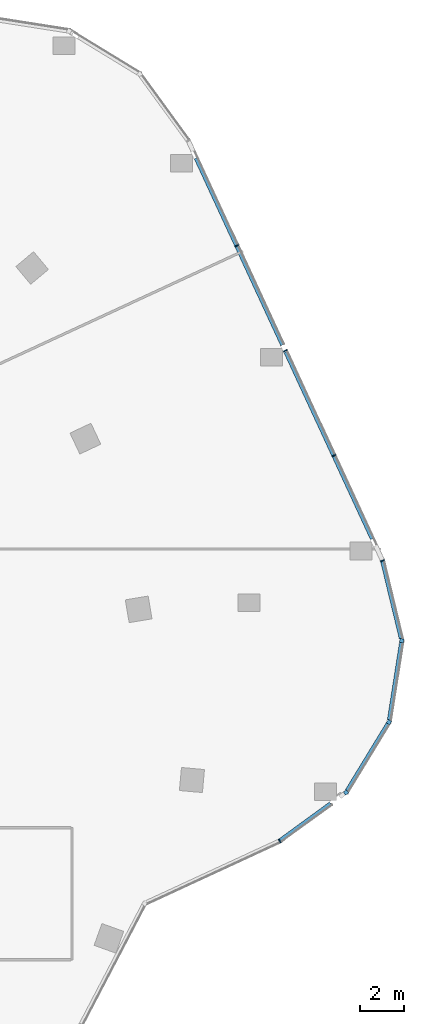
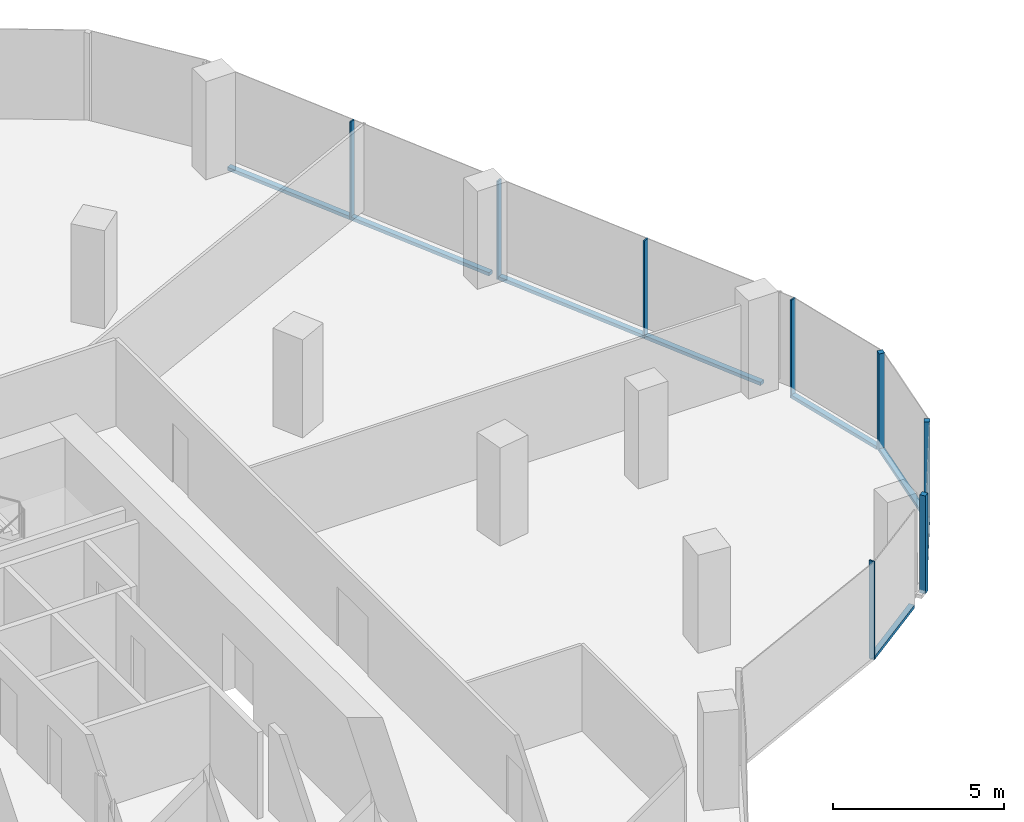
# One storey, part 9 of 23: 14 members, 6 elements without a shape of their own.
"""IFC4 building model written with IfcOpenShell, lengths in metres."""

from ifc_helpers import new_model, si_unit, direction, frame, origin, origin_2d, place, context, subcontext, project, spatial, rectangle, extrude, material, material_profile, profile_set, type_object, element, aggregate, save


model = new_model("IFC4")

# Units and contexts
model_context = context("Model", 3, precision=1e-05, world=origin(), true_north=direction((0.0, 1.0)))
body_context = subcontext(model_context, "Body", "Model", "MODEL_VIEW")
ifc_project = project(units=[si_unit("LENGTHUNIT", "METRE"), si_unit("AREAUNIT", "SQUARE_METRE"), si_unit("VOLUMEUNIT", "CUBIC_METRE"), si_unit("PLANEANGLEUNIT", "RADIAN"), si_unit("MASSUNIT", "GRAM", prefix="KILO")], contexts=[model_context])

# Site, building, storey
site_placement = place(None, origin())
site = spatial("IfcSite", under=ifc_project, at=site_placement, CompositionType="ELEMENT")
building_placement = place(site_placement, origin())
building = spatial("IfcBuilding", under=site, at=building_placement, Name="Orlundy Tower", CompositionType="ELEMENT")
storey_placement = place(building_placement, frame((0.0, 0.0, 260.5)))
storey = spatial("IfcBuildingStorey", under=building, at=storey_placement, Name="L69", CompositionType="ELEMENT", Elevation=260.5)

# Curtain wall, member
ifc_material_1 = material(Name="Aluminium bronze anodised", Category="aluminium")
curtain_wall_type = type_object("IfcCurtainWallType", Name="CW1 wall", PredefinedType="NOTDEFINED", material=ifc_material_1)
curtain_wall_1_placement = place(storey_placement, origin())
curtain_wall_1 = element("IfcCurtainWall", 1, at=curtain_wall_1_placement, inside=storey, type_object=curtain_wall_type, Name="CW1 run 17", PredefinedType="NOTDEFINED")
ifc_material_2 = material(Name="Aluminium bronze anodised", Category="aluminium")
ifc_material_profile_1 = material_profile(ifc_material_2, rectangle(XDim=0.179931640625, YDim=0.179931640625, at=origin_2d()), Name="CW1 corner post 180x180")
ifc_profile_set_1 = profile_set([ifc_material_profile_1], Name="Aluminium bronze anodised")
member_type_1 = type_object("IfcMemberType", Name="CW1 corner post 180x180", PredefinedType="MULLION", material=ifc_profile_set_1)
member_1_placement = place(storey_placement, frame((41.2197265625, 3.460693359375, -0.39990234375), z_axis=(0.0, 0.0, 1.0), x_axis=(0.987896030416, -0.15511748157, 0.0)))
member_1 = element("IfcMember", 2, at=member_1_placement, type_object=member_type_1, Name="CW1 mullion 12", PredefinedType="MULLION", context=body_context, shape_type="SweptSolid", body=[
    extrude(rectangle(XDim=0.179931640625, YDim=0.179931640625, at=origin_2d()), origin(), (0.0, 0.0, 1.0), 3.5),
])

curtain_wall_2_placement = place(storey_placement, origin())
curtain_wall_2 = element("IfcCurtainWall", 3, at=curtain_wall_2_placement, inside=storey, type_object=curtain_wall_type, Name="CW1 run 18", PredefinedType="NOTDEFINED")
member_2_placement = place(storey_placement, frame((40.63916015625, -0.236572265625, -0.39990234375), z_axis=(0.0, 0.0, 1.0), x_axis=(0.85339519248, -0.521264467859, 0.0)))
member_2 = element("IfcMember", 4, at=member_2_placement, type_object=member_type_1, Name="CW1 mullion 13", PredefinedType="MULLION", context=body_context, shape_type="SweptSolid", body=[
    extrude(rectangle(XDim=0.179931640625, YDim=0.179931640625, at=origin_2d()), origin(), (0.0, 0.0, 1.0), 3.5),
])

curtain_wall_3_placement = place(storey_placement, origin())
curtain_wall_3 = element("IfcCurtainWall", 5, at=curtain_wall_3_placement, inside=storey, type_object=curtain_wall_type, Name="CW1 run 19", PredefinedType="NOTDEFINED")
member_3_placement = place(storey_placement, frame((38.6884765625, -3.43017578125, -0.39990234375), z_axis=(0.0, 0.0, 1.0), x_axis=(0.58902167687, -0.808117234179, 0.0)))
member_3 = element("IfcMember", 6, at=member_3_placement, type_object=member_type_1, Name="CW1 mullion 14", PredefinedType="MULLION", context=body_context, shape_type="SweptSolid", body=[
    extrude(rectangle(XDim=0.179931640625, YDim=0.179931640625, at=origin_2d()), origin(), (0.0, 0.0, 1.0), 3.5),
])

# Curtain wall, members
curtain_wall_4_placement = place(storey_placement, origin())
curtain_wall_4 = element("IfcCurtainWall", 7, at=curtain_wall_4_placement, inside=storey, type_object=curtain_wall_type, Name="CW1 run 15", PredefinedType="NOTDEFINED")
ifc_material_3 = material(Name="Aluminium bronze anodised", Category="aluminium")
ifc_material_profile_2 = material_profile(ifc_material_3, rectangle(XDim=0.179931640625, YDim=0.050048828125, at=origin_2d()), Name="CW1 mullion 50x180")
ifc_profile_set_2 = profile_set([ifc_material_profile_2], Name="Aluminium bronze anodised")
member_type_2 = type_object("IfcMemberType", Name="CW1 mullion 50x180", PredefinedType="MULLION", material=ifc_profile_set_2)
member_4_placement = place(storey_placement, frame((33.724365234375, 21.391357421875, -0.39990234375), z_axis=(0.0, 0.0, 1.0), x_axis=(0.907542202358, 0.419960892154, 0.0)))
member_4 = element("IfcMember", 8, at=member_4_placement, type_object=member_type_2, Name="CW1 mullion 8", PredefinedType="MULLION", context=body_context, shape_type="SweptSolid", body=[
    extrude(rectangle(XDim=0.179931640625, YDim=0.050048828125, at=origin_2d()), origin(), (0.0, 0.0, 1.0), 3.5),
])
member_5_placement = place(storey_placement, frame((35.92919921875, 16.626708984375, -0.39990234375), z_axis=(0.0, 0.0, 1.0), x_axis=(0.907542202358, 0.419960892154, 0.0)))
member_5 = element("IfcMember", 9, at=member_5_placement, type_object=member_type_2, Name="CW1 mullion 9", PredefinedType="MULLION", context=body_context, shape_type="SweptSolid", body=[
    extrude(rectangle(XDim=0.179931640625, YDim=0.050048828125, at=origin_2d()), origin(), (0.0, 0.0, 1.0), 3.5),
])
member_6_placement = place(storey_placement, frame((38.134033203125, 11.8623046875, -0.39990234375), z_axis=(0.0, 0.0, 1.0), x_axis=(0.907542202358, 0.419960892154, 0.0)))
member_6 = element("IfcMember", 10, at=member_6_placement, type_object=member_type_2, Name="CW1 mullion 10", PredefinedType="MULLION", context=body_context, shape_type="SweptSolid", body=[
    extrude(rectangle(XDim=0.179931640625, YDim=0.050048828125, at=origin_2d()), origin(), (0.0, 0.0, 1.0), 3.5),
])

# Curtain wall, member
curtain_wall_5_placement = place(storey_placement, origin())
curtain_wall_5 = element("IfcCurtainWall", 11, at=curtain_wall_5_placement, inside=storey, type_object=curtain_wall_type, Name="CW1 run 16", PredefinedType="NOTDEFINED")
member_7_placement = place(storey_placement, frame((40.34228515625, 7.08984375, -0.39990234375), z_axis=(0.0, 0.0, 1.0), x_axis=(0.944312521745, 0.329049937357, 0.0)))
member_7 = element("IfcMember", 12, at=member_7_placement, type_object=member_type_2, Name="CW1 mullion 11", PredefinedType="MULLION", context=body_context, shape_type="SweptSolid", body=[
    extrude(rectangle(XDim=0.179931640625, YDim=0.050048828125, at=origin_2d()), origin(), (0.0, 0.0, 1.0), 3.5),
])

curtain_wall_6_placement = place(storey_placement, origin())
curtain_wall_6 = element("IfcCurtainWall", 13, at=curtain_wall_6_placement, inside=storey, type_object=curtain_wall_type, Name="CW1 run 110", PredefinedType="NOTDEFINED")
member_8_placement = place(storey_placement, frame((35.671875, -5.62890625, -0.39990234375), z_axis=(0.0, 0.0, 1.0), x_axis=(0.506927615096, -0.861988626986, 0.0)))
member_8 = element("IfcMember", 14, at=member_8_placement, type_object=member_type_2, Name="CW1 mullion 15", PredefinedType="MULLION", context=body_context, shape_type="SweptSolid", body=[
    extrude(rectangle(XDim=0.179931640625, YDim=0.050048828125, at=origin_2d()), origin(), (0.0, 0.0, 1.0), 3.5),
])
aggregate(curtain_wall_6, [member_8])

# Member
ifc_material_4 = material(Name="Aluminium bronze anodised", Category="aluminium")
ifc_material_profile_3 = material_profile(ifc_material_4, rectangle(XDim=0.179931640625, YDim=0.1201171875, at=origin_2d()), Name="CW1 transom 180x120")
ifc_profile_set_3 = profile_set([ifc_material_profile_3], Name="Aluminium bronze anodised")
member_type_3 = type_object("IfcMemberType", Name="CW1 transom 180x120", PredefinedType="USERDEFINED", material=ifc_profile_set_3)
member_9_placement = place(storey_placement, frame((31.87890625, 25.37939453125, -0.340087890625), z_axis=(0.419969586538, -0.907538179022, 0.0), x_axis=(0.907538179022, 0.419969586538, 0.0)))
member_9 = element("IfcMember", 15, at=member_9_placement, type_object=member_type_3, Name="CW1 transom", ObjectType="TRANSOM", PredefinedType="USERDEFINED", context=body_context, shape_type="SweptSolid", body=[
    extrude(rectangle(XDim=0.179931640625, YDim=0.1201171875, at=origin_2d()), origin(), (0.0, 0.0, 1.0), 9.357666015625),
])

member_10_placement = place(storey_placement, frame((35.952880859375, 16.575439453125, -0.340087890625), z_axis=(0.419966384997, -0.907539660551, 0.0), x_axis=(0.907539660551, 0.419966384997, 0.0)))
member_10 = element("IfcMember", 16, at=member_10_placement, type_object=member_type_3, Name="CW1 transom", ObjectType="TRANSOM", PredefinedType="USERDEFINED", context=body_context, shape_type="SweptSolid", body=[
    extrude(rectangle(XDim=0.179931640625, YDim=0.1201171875, at=origin_2d()), origin(), (0.0, 0.0, 1.0), 9.3564453125),
])

aggregate(curtain_wall_4, [member_4, member_5, member_6, member_9, member_10])

member_11_placement = place(storey_placement, frame((40.348388671875, 7.0654296875, -0.340087890625), z_axis=(0.23494012712, -0.972009843916, 0.0), x_axis=(0.972009843916, 0.23494012712, 0.0)))
member_11 = element("IfcMember", 17, at=member_11_placement, type_object=member_type_3, Name="CW1 transom", ObjectType="TRANSOM", PredefinedType="USERDEFINED", context=body_context, shape_type="SweptSolid", body=[
    extrude(rectangle(XDim=0.179931640625, YDim=0.1201171875, at=origin_2d()), origin(), (0.0, 0.0, 1.0), 3.611083984375),
])

aggregate(curtain_wall_5, [member_7, member_11])

member_12_placement = place(storey_placement, frame((41.205810546875, 3.371826171875, -0.340087890625), z_axis=(-0.155126778463, -0.987894570591, 0.0), x_axis=(0.987894570591, -0.155126778463, 0.0)))
member_12 = element("IfcMember", 18, at=member_12_placement, type_object=member_type_3, Name="CW1 transom", ObjectType="TRANSOM", PredefinedType="USERDEFINED", context=body_context, shape_type="SweptSolid", body=[
    extrude(rectangle(XDim=0.179931640625, YDim=0.1201171875, at=origin_2d()), origin(), (0.0, 0.0, 1.0), 3.55517578125),
])

aggregate(curtain_wall_1, [member_1, member_12])

member_13_placement = place(storey_placement, frame((40.59228515625, -0.3134765625, -0.340087890625), z_axis=(-0.521266650084, -0.853393859545, 0.0), x_axis=(0.853393859545, -0.521266650084, 0.0)))
member_13 = element("IfcMember", 19, at=member_13_placement, type_object=member_type_3, Name="CW1 transom", ObjectType="TRANSOM", PredefinedType="USERDEFINED", context=body_context, shape_type="SweptSolid", body=[
    extrude(rectangle(XDim=0.179931640625, YDim=0.1201171875, at=origin_2d()), origin(), (0.0, 0.0, 1.0), 3.554931640625),
])

aggregate(curtain_wall_2, [member_2, member_13])

member_14_placement = place(storey_placement, frame((37.989013671875, -3.93994140625, -0.340087890625), z_axis=(-0.808089302915, -0.589059995683, 0.0), x_axis=(0.589059995683, -0.808089302915, 0.0)))
member_14 = element("IfcMember", 20, at=member_14_placement, type_object=member_type_3, Name="CW1 transom", ObjectType="TRANSOM", PredefinedType="USERDEFINED", context=body_context, shape_type="SweptSolid", body=[
    extrude(rectangle(XDim=0.179931640625, YDim=0.1201171875, at=origin_2d()), origin(), (0.0, 0.0, 1.0), 2.84228515625),
])

aggregate(curtain_wall_3, [member_3, member_14])

save(model, "model.ifc")
